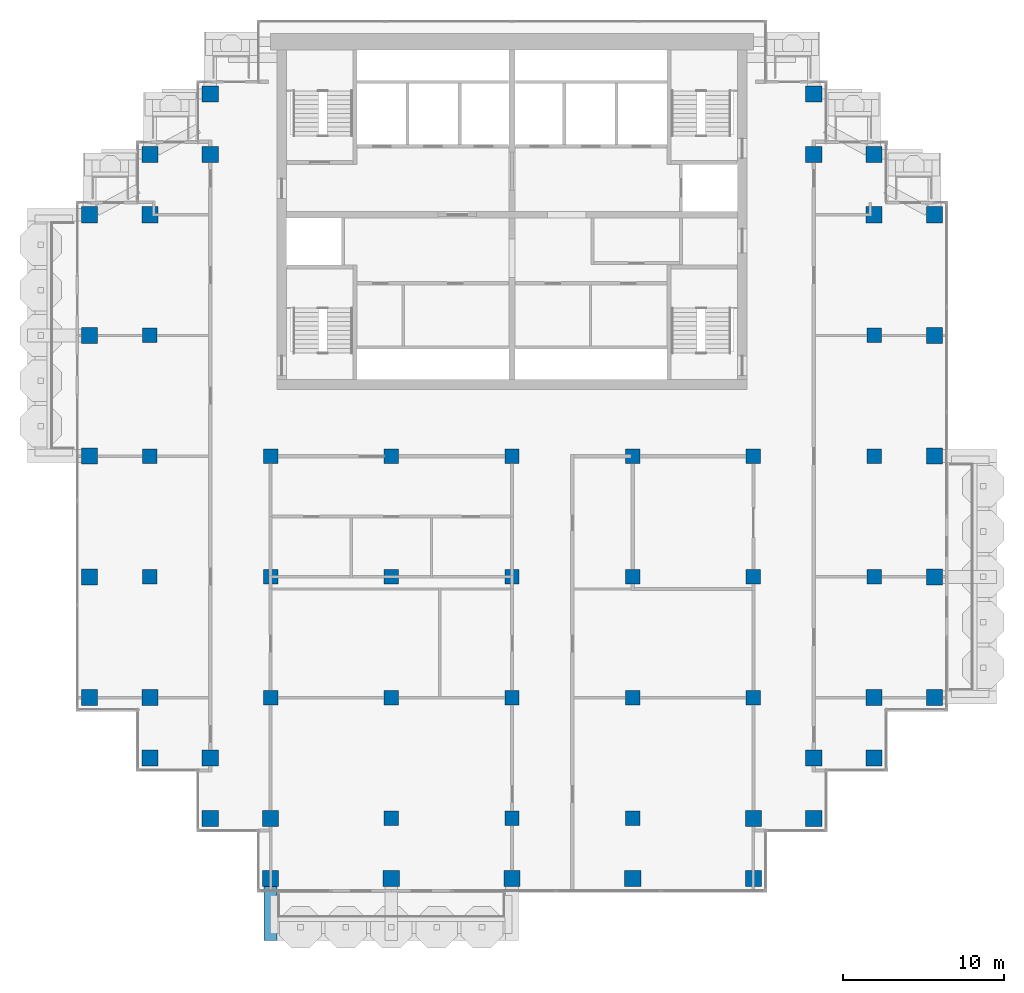
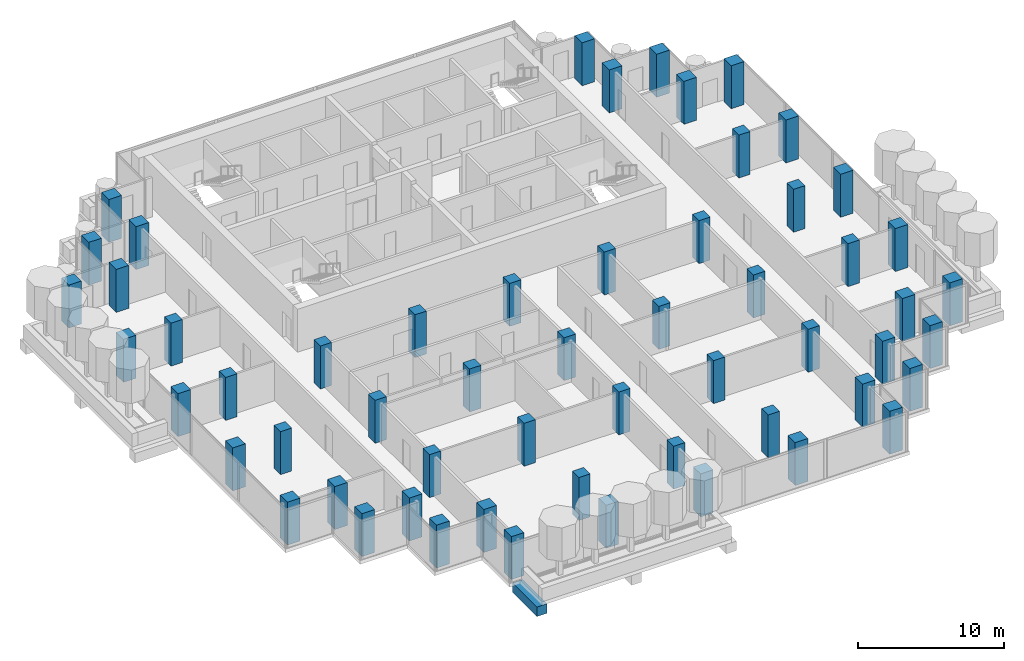
# One storey, part 1 of 18: 57 columns, 1 beam.
"""IFC4 building model written with IfcOpenShell, lengths in metres."""

from ifc_helpers import new_model, si_unit, direction, frame, origin, origin_2d, place, context, subcontext, project, spatial, rectangle, extrude, material, material_profile, profile_set, type_object, element, save


model = new_model("IFC4")

# Units and contexts
model_context = context("Model", 3, precision=1e-05, world=origin(), true_north=direction((0.0, 1.0)))
body_context = subcontext(model_context, "Body", "Model", "MODEL_VIEW")
ifc_project = project(units=[si_unit("LENGTHUNIT", "METRE"), si_unit("AREAUNIT", "SQUARE_METRE"), si_unit("VOLUMEUNIT", "CUBIC_METRE"), si_unit("PLANEANGLEUNIT", "RADIAN"), si_unit("MASSUNIT", "GRAM", prefix="KILO")], contexts=[model_context])

# Site, building, storey
site_placement = place(None, origin())
site = spatial("IfcSite", under=ifc_project, at=site_placement, CompositionType="ELEMENT")
building_placement = place(site_placement, origin())
building = spatial("IfcBuilding", under=site, at=building_placement, Name="Pilkhan Gate Tower", CompositionType="ELEMENT")
storey_placement = place(building_placement, frame((0.0, 0.0, 199.5)))
storey = spatial("IfcBuildingStorey", under=building, at=storey_placement, Name="L51", CompositionType="ELEMENT", Elevation=199.5)

# Columns
ifc_material = material(Name="Concrete C50/60", Category="concrete")
ifc_material_profile_1 = material_profile(ifc_material, rectangle(XDim=1.0, YDim=1.0, at=origin_2d()), Name="RC 1000x1000")
ifc_profile_set_1 = profile_set([ifc_material_profile_1], Name="Concrete C50/60")
column_type_1 = type_object("IfcColumnType", Name="Column C100 RC 1000x1000 C50/60", PredefinedType="COLUMN", material=ifc_profile_set_1)
for number, where, z_axis, x_axis, name in (
    (1, (48.75, 52.5, 0.0), (0.0, 0.0, 1.0), (1.0, 0.0, 0.0), "Column 4/D L51"),
    (2, (48.75, 60.0, 0.0), (0.0, 0.0, 1.0), (1.0, 0.0, 0.0), "Column 4/F L51"),
    (3, (48.75, 67.5, 0.0), (0.0, 0.0, 1.0), (1.0, 0.0, 0.0), "Column 4/H L51"),
    (4, (48.75, 75.0, 0.0), (0.0, 0.0, 1.0), (1.0, 0.0, 0.0), "Column 4/K L51"),
    (5, (48.75, 82.5, 0.0), (0.0, 0.0, 1.0), (1.0, 0.0, 0.0), "Column 4/M L51"),
    (6, (52.5, 48.75, 0.0), (0.0, 0.0, 1.0), (1.0, 0.0, 0.0), "Column 5/C L51"),
    (7, (52.5, 52.5, 0.0), (0.0, 0.0, 1.0), (1.0, 0.0, 0.0), "Column 5/D L51"),
    (8, (52.5, 82.5, 0.0), (0.0, 0.0, 1.0), (1.0, 0.0, 0.0), "Column 5/M L51"),
    (9, (52.5, 86.25, 0.0), (0.0, 0.0, 1.0), (1.0, 0.0, 0.0), "Column 5/N L51"),
    (10, (56.25, 45.0, 0.0), (0.0, 0.0, 1.0), (1.0, 0.0, 0.0), "Column 6/B L51"),
    (11, (56.25, 48.75, 0.0), (0.0, 0.0, 1.0), (1.0, 0.0, 0.0), "Column 6/C L51"),
    (12, (56.25, 86.25, 0.0), (0.0, 0.0, 1.0), (1.0, 0.0, 0.0), "Column 6/N L51"),
    (13, (56.25, 90.0, 0.0), (0.0, 0.0, 1.0), (1.0, 0.0, 0.0), "Column 6/P L51"),
    (14, (60.0, 41.25, 0.0), (0.0, 0.0, 1.0), (1.0, 0.0, 0.0), "Column 7/A L51"),
    (15, (60.0, 45.0, 0.0), (0.0, 0.0, 1.0), (1.0, 0.0, 0.0), "Column 7/B L51"),
    (16, (67.5, 41.25, 0.0), (0.0, 0.0, 1.0), (1.0, 0.0, 0.0), "Column 9/A L51"),
    (17, (75.0, 41.25, 0.0), (0.0, 0.0, 1.0), (1.0, 0.0, 0.0), "Column 11/A L51"),
    (18, (82.5, 41.25, 0.0), (0.0, 0.0, 1.0), (1.0, 0.0, 0.0), "Column 13/A L51"),
    (19, (90.0, 41.25, 0.0), (0.0, 0.0, 1.0), (1.0, 0.0, 0.0), "Column 15/A L51"),
    (20, (90.0, 45.0, 0.0), (0.0, 0.0, 1.0), (1.0, 0.0, 0.0), "Column 15/B L51"),
    (21, (93.75, 45.0, 0.0), (0.0, 0.0, 1.0), (1.0, 0.0, 0.0), "Column 16/B L51"),
    (22, (93.75, 48.75, 0.0), (0.0, 0.0, 1.0), (1.0, 0.0, 0.0), "Column 16/C L51"),
    (23, (93.75, 86.25, 0.0), (0.0, 0.0, 1.0), (1.0, 0.0, 0.0), "Column 16/N L51"),
    (24, (93.75, 90.0, 0.0), (0.0, 0.0, 1.0), (1.0, 0.0, 0.0), "Column 16/P L51"),
    (25, (97.5, 48.75, 0.0), (0.0, 0.0, 1.0), (1.0, 0.0, 0.0), "Column 17/C L51"),
    (26, (97.5, 52.5, 0.0), (0.0, 0.0, 1.0), (1.0, 0.0, 0.0), "Column 17/D L51"),
    (27, (97.5, 82.5, 0.0), (0.0, 0.0, 1.0), (1.0, 0.0, 0.0), "Column 17/M L51"),
    (28, (97.5, 86.25, 0.0), (0.0, 0.0, 1.0), (1.0, 0.0, 0.0), "Column 17/N L51"),
    (29, (101.25, 52.5, 0.0), (0.0, 0.0, 1.0), (1.0, 0.0, 0.0), "Column 18/D L51"),
    (30, (101.25, 60.0, 0.0), (0.0, 0.0, 1.0), (1.0, 0.0, 0.0), "Column 18/F L51"),
    (31, (101.25, 67.5, 0.0), (0.0, 0.0, 1.0), (1.0, 0.0, 0.0), "Column 18/H L51"),
    (32, (101.25, 75.0, 0.0), (0.0, 0.0, 1.0), (1.0, 0.0, 0.0), "Column 18/K L51"),
    (33, (101.25, 82.5, 0.0), (0.0, 0.0, 1.0), (1.0, 0.0, 0.0), "Column 18/M L51"),
):
    element("IfcColumn", number, at=place(storey_placement, frame(where, z_axis=z_axis, x_axis=x_axis)), inside=storey, type_object=column_type_1, Name=name, PredefinedType="COLUMN", context=body_context, shape_type="SweptSolid", body=[
        extrude(rectangle(XDim=1.0, YDim=1.0, at=origin_2d()), origin(), (0.0, 0.0, 1.0), 3.60009765625),
    ])
ifc_material_profile_2 = material_profile(ifc_material, rectangle(XDim=0.89990234375, YDim=0.89990234375, at=origin_2d()), Name="RC 900x900")
ifc_profile_set_2 = profile_set([ifc_material_profile_2], Name="Concrete C50/60")
column_type_2 = type_object("IfcColumnType", Name="Column C90 RC 900x900 C50/60", PredefinedType="COLUMN", material=ifc_profile_set_2)
for number, where, z_axis, x_axis, name in (
    (34, (52.5, 60.0, 0.0), (0.0, 0.0, 1.0), (1.0, 0.0, 0.0), "Column 5/F L51"),
    (35, (52.5, 67.5, 0.0), (0.0, 0.0, 1.0), (1.0, 0.0, 0.0), "Column 5/H L51"),
    (36, (52.5, 75.0, 0.0), (0.0, 0.0, 1.0), (1.0, 0.0, 0.0), "Column 5/K L51"),
    (37, (60.0, 52.5, 0.0), (0.0, 0.0, 1.0), (1.0, 0.0, 0.0), "Column 7/D L51"),
    (38, (60.0, 60.0, 0.0), (0.0, 0.0, 1.0), (1.0, 0.0, 0.0), "Column 7/F L51"),
    (39, (60.0, 67.5, 0.0), (0.0, 0.0, 1.0), (1.0, 0.0, 0.0), "Column 7/H L51"),
    (40, (67.5, 45.0, 0.0), (0.0, 0.0, 1.0), (1.0, 0.0, 0.0), "Column 9/B L51"),
    (41, (67.5, 52.5, 0.0), (0.0, 0.0, 1.0), (1.0, 0.0, 0.0), "Column 9/D L51"),
    (42, (67.5, 60.0, 0.0), (0.0, 0.0, 1.0), (1.0, 0.0, 0.0), "Column 9/F L51"),
    (43, (67.5, 67.5, 0.0), (0.0, 0.0, 1.0), (1.0, 0.0, 0.0), "Column 9/H L51"),
    (44, (75.0, 45.0, 0.0), (0.0, 0.0, 1.0), (1.0, 0.0, 0.0), "Column 11/B L51"),
    (45, (75.0, 52.5, 0.0), (0.0, 0.0, 1.0), (1.0, 0.0, 0.0), "Column 11/D L51"),
    (46, (75.0, 60.0, 0.0), (0.0, 0.0, 1.0), (1.0, 0.0, 0.0), "Column 11/F L51"),
    (47, (75.0, 67.5, 0.0), (0.0, 0.0, 1.0), (1.0, 0.0, 0.0), "Column 11/H L51"),
    (48, (82.5, 45.0, 0.0), (0.0, 0.0, 1.0), (1.0, 0.0, 0.0), "Column 13/B L51"),
    (49, (82.5, 52.5, 0.0), (0.0, 0.0, 1.0), (1.0, 0.0, 0.0), "Column 13/D L51"),
    (50, (82.5, 60.0, 0.0), (0.0, 0.0, 1.0), (1.0, 0.0, 0.0), "Column 13/F L51"),
    (51, (82.5, 67.5, 0.0), (0.0, 0.0, 1.0), (1.0, 0.0, 0.0), "Column 13/H L51"),
    (52, (90.0, 52.5, 0.0), (0.0, 0.0, 1.0), (1.0, 0.0, 0.0), "Column 15/D L51"),
    (53, (90.0, 60.0, 0.0), (0.0, 0.0, 1.0), (1.0, 0.0, 0.0), "Column 15/F L51"),
    (54, (90.0, 67.5, 0.0), (0.0, 0.0, 1.0), (1.0, 0.0, 0.0), "Column 15/H L51"),
    (55, (97.5, 60.0, 0.0), (0.0, 0.0, 1.0), (1.0, 0.0, 0.0), "Column 17/F L51"),
    (56, (97.5, 67.5, 0.0), (0.0, 0.0, 1.0), (1.0, 0.0, 0.0), "Column 17/H L51"),
    (57, (97.5, 75.0, 0.0), (0.0, 0.0, 1.0), (1.0, 0.0, 0.0), "Column 17/K L51"),
):
    element("IfcColumn", number, at=place(storey_placement, frame(where, z_axis=z_axis, x_axis=x_axis)), inside=storey, type_object=column_type_2, Name=name, PredefinedType="COLUMN", context=body_context, shape_type="SweptSolid", body=[
        extrude(rectangle(XDim=0.89990234375, YDim=0.89990234375, at=origin_2d()), origin(), (0.0, 0.0, 1.0), 3.60009765625),
    ])

# Beam
ifc_material_profile_3 = material_profile(ifc_material, rectangle(XDim=0.800048828125, YDim=0.800048828125, at=origin_2d()), Name="RC 800x800")
ifc_profile_set_3 = profile_set([ifc_material_profile_3], Name="Concrete C50/60")
beam_type = type_object("IfcBeamType", Name="Cantilever beam CB2 RC 800x800 C50/60", PredefinedType="BEAM", material=ifc_profile_set_3)
beam_placement = place(storey_placement, frame((60.0, 40.75, -0.699951171875), z_axis=(0.0, -1.0, 0.0), x_axis=(1.0, 0.0, 0.0)))
element("IfcBeam", 58, at=beam_placement, inside=storey, type_object=beam_type, Name="Balcony beam S.1 L51", PredefinedType="BEAM", context=body_context, shape_type="SweptSolid", body=[
    extrude(rectangle(XDim=0.800048828125, YDim=0.800048828125, at=origin_2d()), origin(), (0.0, 0.0, 1.0), 3.35009765625),
])

save(model, "model.ifc")
